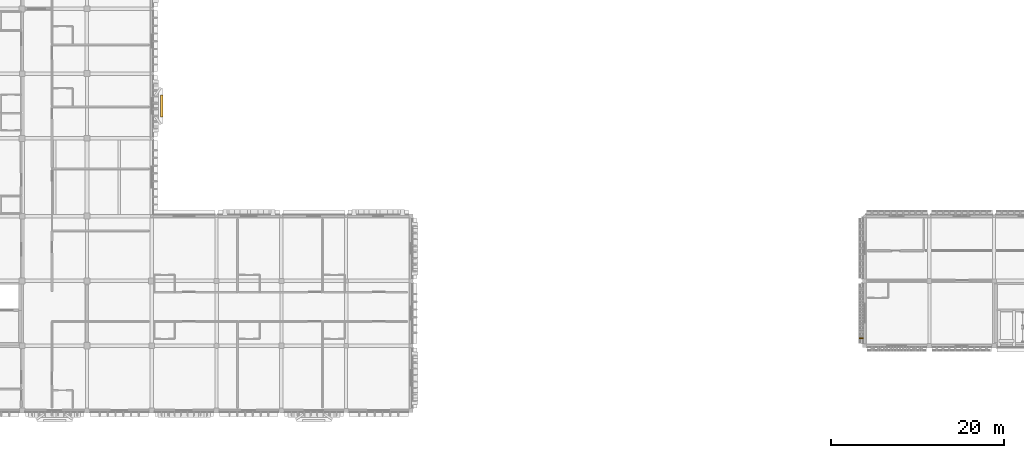
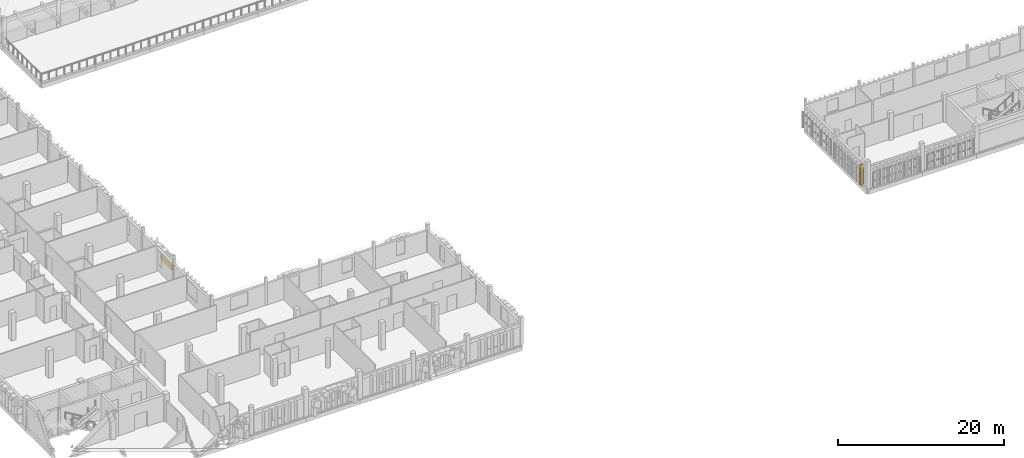
# One storey, part 36 of 48: 2 coverings.
"""IFC4 building model written with IfcOpenShell, lengths in metres."""

from ifc_helpers import new_model, si_unit, direction, frame, origin, origin_2d, place, context, subcontext, project, spatial, rectangle, extrude, material, layer, layer_set, type_object, element, save


model = new_model("IFC4")

# Units and contexts
model_context = context("Model", 3, precision=1e-05, world=origin(), true_north=direction((0.0, 1.0)))
body_context = subcontext(model_context, "Body", "Model", "MODEL_VIEW")
ifc_project = project(units=[si_unit("LENGTHUNIT", "METRE"), si_unit("AREAUNIT", "SQUARE_METRE"), si_unit("VOLUMEUNIT", "CUBIC_METRE"), si_unit("PLANEANGLEUNIT", "RADIAN"), si_unit("MASSUNIT", "GRAM", prefix="KILO")], contexts=[model_context])

# Site, building, storey
site_placement = place(None, origin())
site = spatial("IfcSite", under=ifc_project, at=site_placement, CompositionType="ELEMENT")
building_placement = place(site_placement, origin())
building = spatial("IfcBuilding", under=site, at=building_placement, Name="Dalvernix Boulevard General Hospital", CompositionType="ELEMENT")
storey_placement = place(building_placement, frame((0.0, 0.0, 17.85009765625)))
storey = spatial("IfcBuildingStorey", under=building, at=storey_placement, Name="L04", CompositionType="ELEMENT", Elevation=17.85009765625)

# Coverings
ifc_material_1 = material(Name="Polychrome glazed Catalan trencadis ceramic faceted bay spandrel")
ifc_layer_1 = layer(ifc_material_1, 0.280029296875)
ifc_layer_set_1 = layer_set([ifc_layer_1], Name="Polychrome glazed Catalan trencadis ceramic faceted bay spandrel (COV-BAY-01)")
covering_type_1 = type_object("IfcCoveringType", Name="COV-BAY-01", PredefinedType="CLADDING", material=ifc_layer_set_1)
covering_1_placement = place(storey_placement, frame((31.159912109375, 35.25, 0.3798828125), z_axis=(0.0, 0.0, 1.0), x_axis=(0.0, -1.0, 0.0)))
element("IfcCovering", 1, at=covering_1_placement, inside=storey, type_object=covering_type_1, Name="L04 projecting faceted trencadis bay spandrel E 4-4", PredefinedType="CLADDING", context=body_context, shape_type="SweptSolid", body=[
    extrude(rectangle(XDim=2.60009765625, YDim=0.280029296875, at=origin_2d()), origin(), (0.0, 0.0, 1.0), 0.679931640625),
])
ifc_material_2 = material(Name="Preservative-treated West African iroko timber lattice screen", Category="wood")
ifc_layer_2 = layer(ifc_material_2, 0.1201171875)
ifc_layer_set_2 = layer_set([ifc_layer_2], Name="Preservative-treated West African iroko timber lattice screen (COV-TSCR-01)")
covering_type_2 = type_object("IfcCoveringType", Name="COV-TSCR-01", PredefinedType="CLADDING", material=ifc_layer_set_2)
covering_2_placement = place(storey_placement, frame((112.1298828125, 8.3701171875, 0.10009765625), z_axis=(0.0, 0.0, 1.0), x_axis=(0.0, 1.0, 0.0)))
element("IfcCovering", 2, at=covering_2_placement, inside=storey, type_object=covering_type_2, Name="L04 upper-ward timber screen blade W 15-1-1", PredefinedType="CLADDING", context=body_context, shape_type="SweptSolid", body=[
    extrude(rectangle(XDim=0.1298828125, YDim=0.47998046875, at=origin_2d()), origin(), (0.0, 0.0, 1.0), 2.969970703125),
])

save(model, "model.ifc")
